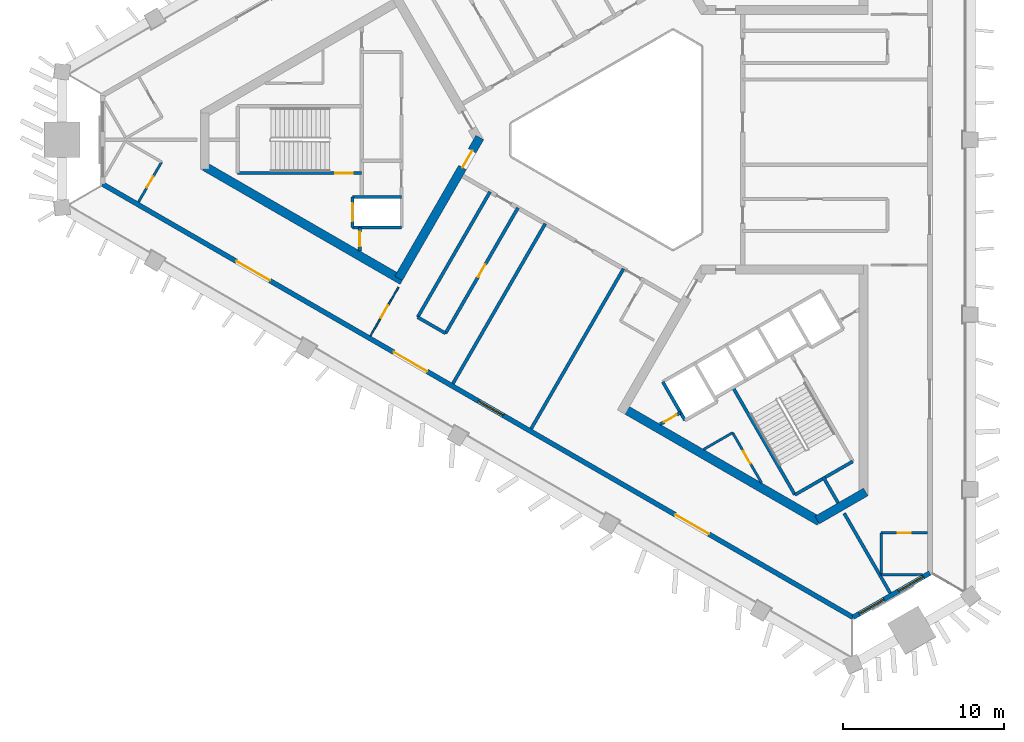
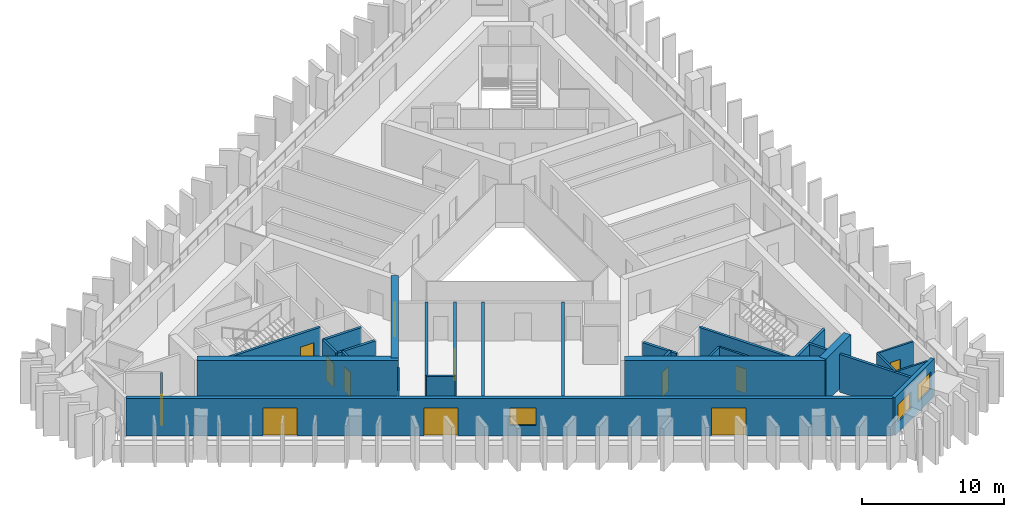
# One storey, part 2 of 10: 29 walls, 13 doors, 3 windows, 16 openings.
"""IFC4 building model written with IfcOpenShell, lengths in metres."""

from ifc_helpers import new_model, si_unit, direction, frame, frame_2d, origin, place, context, subcontext, project, spatial, rectangle, extrude, material, layer, layer_set, type_object, element, fill, save


model = new_model("IFC4")

# Units and contexts
model_context = context("Model", 3, precision=1e-05, world=origin(), true_north=direction((0.0, 1.0)))
body_context = subcontext(model_context, "Body", "Model", "MODEL_VIEW")
ifc_project = project(units=[si_unit("LENGTHUNIT", "METRE"), si_unit("AREAUNIT", "SQUARE_METRE"), si_unit("VOLUMEUNIT", "CUBIC_METRE"), si_unit("PLANEANGLEUNIT", "RADIAN"), si_unit("MASSUNIT", "GRAM", prefix="KILO")], contexts=[model_context])

# Site, building, storey
site_placement = place(None, origin())
site = spatial("IfcSite", under=ifc_project, at=site_placement, CompositionType="ELEMENT")
building_placement = place(site_placement, origin())
building = spatial("IfcBuilding", under=site, at=building_placement, Name="Jabali Bay Hotel Tower and Convention Centre", CompositionType="ELEMENT")
storey_placement = place(building_placement, frame((0.0, 0.0, 167.39990234375)))
storey = spatial("IfcBuildingStorey", under=building, at=storey_placement, Name="L40", CompositionType="ELEMENT", Elevation=167.39990234375)

# Wall, opening, door
ifc_material_1 = material(Name="Concrete C40", Category="concrete")
ifc_layer_1 = layer(ifc_material_1, 0.199951171875)
ifc_layer_set_1 = layer_set([ifc_layer_1], Name="Concrete C40")
wall_type_1 = type_object("IfcWallType", Name="Core partition wall 200", PredefinedType="PARTITIONING", material=ifc_layer_set_1)
wall_1_placement = place(storey_placement, frame((58.300048828125, 74.550048828125, 0.0), z_axis=(0.0, 0.0, 1.0), x_axis=(0.0, -1.0, 0.0)))
wall_1 = element("IfcWall", 1, at=wall_1_placement, inside=storey, type_object=wall_type_1, Name="Core wall 0.10 L40", PredefinedType="PARTITIONING", context=body_context, shape_type="SweptSolid", body=[
    extrude(rectangle(XDim=1.455078125, YDim=0.199951171875, at=frame_2d((0.7275390625, 0.0))), origin(), (0.0, 0.0, 1.0), 3.25),
])
opening_1_placement = place(wall_1_placement, frame((0.277587890625, 0.0, 0.0)))
opening_1 = element("IfcOpeningElement", 2, at=opening_1_placement, cuts=wall_1, Name="Opening D869", PredefinedType="OPENING", context=body_context, shape_type="SweptSolid", body=[
    extrude(rectangle(XDim=0.89990234375, YDim=2.10009765625, at=frame_2d((0.449951171875, 1.050048828125))), frame((0.0, 0.1103515625, 0.0), z_axis=(0.0, -1.0, 0.0), x_axis=(1.0, 0.0, 0.0)), (0.0, 0.0, 1.0), 0.220947265625),
])
ifc_material_2 = material(Name="Fire-rated steel door", Category="steel")
door_type_1 = type_object("IfcDoorType", Name="Vestibule fire door 900 x 2100", OperationType="NOTDEFINED", PredefinedType="NOTDEFINED", material=ifc_material_2)
door_1_placement = place(opening_1_placement, origin())
door_1 = element("IfcDoor", 3, at=door_1_placement, inside=storey, type_object=door_type_1, Name="Vestibule fire door D869", OperationType="SINGLE_SWING_LEFT", OverallHeight=2.10009765625, OverallWidth=0.89990234375, PredefinedType="NOTDEFINED", context=body_context, shape_type="SweptSolid", body=[
    extrude(rectangle(XDim=0.89990234375, YDim=2.10009765625, at=frame_2d((0.449951171875, 1.050048828125))), frame((0.0, 0.02490234375, 0.0), z_axis=(0.0, -1.0, 0.0), x_axis=(1.0, 0.0, 0.0)), (0.0, 0.0, 1.0), 0.050048828125),
])
fill(opening_1, door_1)

# Wall
wall_2_placement = place(storey_placement, frame((87.090087890625, 59.0595703125, 0.0), z_axis=(0.0, 0.0, 1.0), x_axis=(0.499951854219, -0.86605319898, 0.0)))
element("IfcWall", 4, at=wall_2_placement, inside=storey, type_object=wall_type_1, Name="Core wall 2.5 L40", PredefinedType="PARTITIONING", context=body_context, shape_type="SweptSolid", body=[
    extrude(rectangle(XDim=1.873291015625, YDim=0.199951171875, at=frame_2d((0.9365234375, 0.0))), origin(), (0.0, 0.0, 1.0), 3.25),
])

# Wall, opening, door
wall_3_placement = place(storey_placement, frame((76.969970703125, 62.315673828125, 0.0), z_axis=(0.0, 0.0, 1.0), x_axis=(0.865982457891, 0.500074377092, 0.0)))
wall_3 = element("IfcWall", 5, at=wall_3_placement, inside=storey, type_object=wall_type_1, Name="Core wall 2.11 L40", PredefinedType="PARTITIONING", context=body_context, shape_type="SweptSolid", body=[
    extrude(rectangle(XDim=1.461181640625, YDim=0.199951171875, at=frame_2d((0.73046875, 0.0))), origin(), (0.0, 0.0, 1.0), 3.25),
])
opening_2_placement = place(wall_3_placement, frame((0.280517578125, 0.0, 0.0)))
opening_2 = element("IfcOpeningElement", 6, at=opening_2_placement, cuts=wall_3, Name="Opening D882", PredefinedType="OPENING", context=body_context, shape_type="SweptSolid", body=[
    extrude(rectangle(XDim=0.89990234375, YDim=2.10009765625, at=frame_2d((0.449951171875, 1.050048828125))), frame((0.0, 0.1103515625, 0.0), z_axis=(0.0, -1.0, 0.0), x_axis=(1.0, 0.0, 0.0)), (0.0, 0.0, 1.0), 0.220947265625),
])
door_2_placement = place(opening_2_placement, origin())
door_2 = element("IfcDoor", 7, at=door_2_placement, inside=storey, type_object=door_type_1, Name="Vestibule fire door D882", OperationType="SINGLE_SWING_LEFT", OverallHeight=2.10009765625, OverallWidth=0.89990234375, PredefinedType="NOTDEFINED", context=body_context, shape_type="SweptSolid", body=[
    extrude(rectangle(XDim=0.89990234375, YDim=2.10009765625, at=frame_2d((0.449951171875, 1.050048828125))), frame((0.0, 0.02490234375, 0.0), z_axis=(0.0, -1.0, 0.0), x_axis=(1.0, 0.0, 0.0)), (0.0, 0.0, 1.0), 0.050048828125),
])
fill(opening_2, door_2)

ifc_material_3 = material(Name="Fire-rated board partition")
ifc_layer_2 = layer(ifc_material_3, 0.14990234375)
ifc_layer_set_2 = layer_set([ifc_layer_2], Name="Fire-rated board partition")
wall_type_2 = type_object("IfcWallType", Name="Core room partition 150", PredefinedType="PARTITIONING", material=ifc_layer_set_2)
wall_4_placement = place(storey_placement, frame((81.468994140625, 61.79541015625, 0.0), z_axis=(0.0, 0.0, 1.0), x_axis=(0.499992664208, -0.866029639064, 0.0)))
wall_4 = element("IfcWall", 8, at=wall_4_placement, inside=storey, type_object=wall_type_2, Name="Core wall 2.1 L40", PredefinedType="PARTITIONING", context=body_context, shape_type="SweptSolid", body=[
    extrude(rectangle(XDim=3.59765625, YDim=0.14990234375, at=frame_2d((1.798828125, 0.0))), origin(), (0.0, 0.0, 1.0), 3.25),
])
opening_3_placement = place(wall_4_placement, frame((1.321533203125, 0.0, 0.0)))
opening_3 = element("IfcOpeningElement", 9, at=opening_3_placement, cuts=wall_4, Name="Opening D884", PredefinedType="OPENING", context=body_context, shape_type="SweptSolid", body=[
    extrude(rectangle(XDim=0.89990234375, YDim=2.10009765625, at=frame_2d((0.449951171875, 1.050048828125))), frame((0.0, 0.08544921875, 0.0), z_axis=(0.0, -1.0, 0.0), x_axis=(1.0, 0.0, 0.0)), (0.0, 0.0, 1.0), 0.1708984375),
])
door_type_2 = type_object("IfcDoorType", Name="Core room door 900 x 2100", OperationType="NOTDEFINED", PredefinedType="NOTDEFINED", material=ifc_material_2)
door_3_placement = place(opening_3_placement, origin())
door_3 = element("IfcDoor", 10, at=door_3_placement, inside=storey, type_object=door_type_2, Name="Core room door D884", OperationType="SINGLE_SWING_LEFT", OverallHeight=2.10009765625, OverallWidth=0.89990234375, PredefinedType="NOTDEFINED", context=body_context, shape_type="SweptSolid", body=[
    extrude(rectangle(XDim=0.89990234375, YDim=2.10009765625, at=frame_2d((0.449951171875, 1.050048828125))), frame((0.0, 0.02490234375, 0.0), z_axis=(0.0, -1.0, 0.0), x_axis=(1.0, 0.0, 0.0)), (0.0, 0.0, 1.0), 0.050048828125),
])
fill(opening_3, door_3)

# Wall
wall_5_placement = place(storey_placement, frame((79.669921875, 60.7568359375, 0.0), z_axis=(0.0, 0.0, 1.0), x_axis=(0.866050549317, 0.49995644413, 0.0)))
element("IfcWall", 11, at=wall_5_placement, inside=storey, type_object=wall_type_2, Name="Core wall 2.16 L40", PredefinedType="PARTITIONING", context=body_context, shape_type="SweptSolid", body=[
    extrude(rectangle(XDim=2.077392578125, YDim=0.14990234375, at=frame_2d((1.03857421875, 0.0))), origin(), (0.0, 0.0, 1.0), 3.25),
])

# Wall, opening, door
ifc_layer_3 = layer(ifc_material_1, 0.199951171875)
ifc_layer_set_3 = layer_set([ifc_layer_3], Name="Concrete C40")
wall_type_3 = type_object("IfcWallType", Name="Core stair wall 200", PredefinedType="SOLIDWALL", material=ifc_layer_set_3)
wall_6_placement = place(storey_placement, frame((58.419921875, 77.925048828125, 0.0), z_axis=(0.0, 0.0, 1.0), x_axis=(-1.0, 0.0, 0.0)))
wall_6 = element("IfcWall", 12, at=wall_6_placement, inside=storey, type_object=wall_type_3, Name="Core wall 0.5 L40", PredefinedType="SOLIDWALL", context=body_context, shape_type="SweptSolid", body=[
    extrude(rectangle(XDim=7.699951171875, YDim=0.199951171875, at=frame_2d((3.85009765625, 0.0))), origin(), (0.0, 0.0, 1.0), 3.25),
])
opening_4_placement = place(wall_6_placement, frame((0.550048828125, 0.0, 0.0)))
opening_4 = element("IfcOpeningElement", 13, at=opening_4_placement, cuts=wall_6, Name="Opening D871", PredefinedType="OPENING", context=body_context, shape_type="SweptSolid", body=[
    extrude(rectangle(XDim=1.10009765625, YDim=2.10009765625, at=frame_2d((0.550048828125, 1.050048828125))), frame((0.0, 0.1103515625, 0.0), z_axis=(0.0, -1.0, 0.0), x_axis=(1.0, 0.0, 0.0)), (0.0, 0.0, 1.0), 0.220947265625),
])
door_type_3 = type_object("IfcDoorType", Name="Stair fire door 1100 x 2100", OperationType="NOTDEFINED", PredefinedType="NOTDEFINED", material=ifc_material_2)
door_4_placement = place(opening_4_placement, origin())
door_4 = element("IfcDoor", 14, at=door_4_placement, inside=storey, type_object=door_type_3, Name="Stair fire door D871", OperationType="SINGLE_SWING_RIGHT", OverallHeight=2.10009765625, OverallWidth=1.10009765625, PredefinedType="NOTDEFINED", context=body_context, shape_type="SweptSolid", body=[
    extrude(rectangle(XDim=1.10009765625, YDim=2.10009765625, at=frame_2d((0.550048828125, 1.050048828125))), frame((0.0, 0.02490234375, 0.0), z_axis=(0.0, -1.0, 0.0), x_axis=(1.0, 0.0, 0.0)), (0.0, 0.0, 1.0), 0.050048828125),
])
fill(opening_4, door_4)

# Walls
for number, where, z_axis, x_axis, name in (
    (15, (60.89990234375, 76.449951171875, 0.0), (0.0, 0.0, 1.0), (-1.0, 0.0, 0.0), "Core wall 0.6 L40"),
    (16, (60.89990234375, 74.550048828125, 0.0), (0.0, 0.0, 1.0), (-1.0, 0.0, 0.0), "Core wall 0.7 L40"),
):
    element("IfcWall", number, at=place(storey_placement, frame(where, z_axis=z_axis, x_axis=x_axis)), inside=storey, type_object=wall_type_3, Name=name, PredefinedType="SOLIDWALL", context=body_context, shape_type="SweptSolid", body=[
        extrude(rectangle(XDim=3.0498046875, YDim=0.199951171875, at=frame_2d((1.52490234375, 0.0))), origin(), (0.0, 0.0, 1.0), 3.25),
    ])

# Wall, opening, door
wall_7_placement = place(storey_placement, frame((57.85009765625, 76.449951171875, 0.0), z_axis=(0.0, 0.0, 1.0), x_axis=(0.0, -1.0, 0.0)))
wall_7 = element("IfcWall", 17, at=wall_7_placement, inside=storey, type_object=wall_type_3, Name="Core wall 0.11 L40", PredefinedType="SOLIDWALL", context=body_context, shape_type="SweptSolid", body=[
    extrude(rectangle(XDim=1.89990234375, YDim=0.199951171875, at=frame_2d((0.949951171875, 0.0))), origin(), (0.0, 0.0, 1.0), 3.25),
])
opening_5_placement = place(wall_7_placement, frame((0.39990234375, 0.0, 0.0)))
opening_5 = element("IfcOpeningElement", 18, at=opening_5_placement, cuts=wall_7, Name="Opening LD5-L40", PredefinedType="OPENING", context=body_context, shape_type="SweptSolid", body=[
    extrude(rectangle(XDim=1.10009765625, YDim=2.10009765625, at=frame_2d((0.550048828125, 1.050048828125))), frame((0.0, 0.1103515625, 0.0), z_axis=(0.0, -1.0, 0.0), x_axis=(1.0, 0.0, 0.0)), (0.0, 0.0, 1.0), 0.220947265625),
])
ifc_material_4 = material(Name="Stainless steel landing door", Category="steel")
door_type_4 = type_object("IfcDoorType", Name="Landing door 1100 x 2100", OperationType="NOTDEFINED", PredefinedType="NOTDEFINED", material=ifc_material_4)
door_5_placement = place(opening_5_placement, origin())
door_5 = element("IfcDoor", 19, at=door_5_placement, inside=storey, type_object=door_type_4, Name="Landing doors LD5-L40", OperationType="SLIDING_TO_RIGHT", OverallHeight=2.10009765625, OverallWidth=1.10009765625, PredefinedType="NOTDEFINED", context=body_context, shape_type="SweptSolid", body=[
    extrude(rectangle(XDim=1.10009765625, YDim=2.10009765625, at=frame_2d((0.550048828125, 1.050048828125))), frame((0.0, 0.02490234375, 0.0), z_axis=(0.0, -1.0, 0.0), x_axis=(1.0, 0.0, 0.0)), (0.0, 0.0, 1.0), 0.050048828125),
])
fill(opening_5, door_5)

# Walls
wall_8_placement = place(storey_placement, frame((77.13525390625, 64.95166015625, 0.0), z_axis=(0.0, 0.0, 1.0), x_axis=(0.499996545922, -0.866027397988, 0.0)))
element("IfcWall", 20, at=wall_8_placement, inside=storey, type_object=wall_type_3, Name="Core wall 2.0 L40", PredefinedType="SOLIDWALL", context=body_context, shape_type="SweptSolid", body=[
    extrude(rectangle(XDim=2.75, YDim=0.199951171875, at=frame_2d((1.375, 0.0))), origin(), (0.0, 0.0, 1.0), 3.25),
])
wall_9_placement = place(storey_placement, frame((81.492919921875, 64.603759765625, 0.0), z_axis=(0.0, 0.0, 1.0), x_axis=(0.500006057782, -0.866021906294, 0.0)))
element("IfcWall", 21, at=wall_9_placement, inside=storey, type_object=wall_type_3, Name="Core wall 2.3 L40", PredefinedType="SOLIDWALL", context=body_context, shape_type="SweptSolid", body=[
    extrude(rectangle(XDim=7.7001953125, YDim=0.199951171875, at=frame_2d((3.85009765625, 0.0))), origin(), (0.0, 0.0, 1.0), 3.25),
])
wall_10_placement = place(storey_placement, frame((85.343017578125, 57.935302734375, 0.0), z_axis=(0.0, 0.0, 1.0), x_axis=(0.866004344652, 0.500036473714, 0.0)))
element("IfcWall", 22, at=wall_10_placement, inside=storey, type_object=wall_type_3, Name="Core wall 2.17 L40", PredefinedType="SOLIDWALL", context=body_context, shape_type="SweptSolid", body=[
    extrude(rectangle(XDim=4.150146484375, YDim=0.199951171875, at=frame_2d((2.0751953125, 0.0))), origin(), (0.0, 0.0, 1.0), 3.25),
])
ifc_material_5 = material(Name="Concrete C60", Category="concrete")
ifc_layer_4 = layer(ifc_material_5, 0.550048828125)
ifc_layer_set_4 = layer_set([ifc_layer_4], Name="Concrete C60")
wall_type_4 = type_object("IfcWallType", Name="Core wall 550", PredefinedType="SHEAR", material=ifc_layer_set_4)
wall_11_placement = place(storey_placement, frame((48.671875, 78.336181640625, 0.0), z_axis=(0.0, 0.0, 1.0), x_axis=(0.866023530946, -0.500003243837, 0.0)))
element("IfcWall", 23, at=wall_11_placement, inside=storey, type_object=wall_type_4, Name="Core wall 1.4 L40", PredefinedType="SHEAR", context=body_context, shape_type="SweptSolid", body=[
    extrude(rectangle(XDim=14.1748046875, YDim=0.550048828125, at=frame_2d((7.08740234375, 0.0))), origin(), (0.0, 0.0, 1.0), 3.7001953125),
])

# Wall, opening, door
wall_12_placement = place(storey_placement, frame((60.709228515625, 71.38623046875, 0.0), z_axis=(0.0, 0.0, 1.0), x_axis=(0.500015938302, 0.866016201606, 0.0)))
wall_12 = element("IfcWall", 24, at=wall_12_placement, inside=storey, type_object=wall_type_4, Name="Core wall 1.5 L40", PredefinedType="SHEAR", context=body_context, shape_type="SweptSolid", body=[
    extrude(rectangle(XDim=10.105224609375, YDim=0.550048828125, at=frame_2d((5.052734375, 0.0))), origin(), (0.0, 0.0, 1.0), 3.7001953125),
])
opening_6_placement = place(wall_12_placement, frame((7.955078125, 0.0, 0.0)))
opening_6 = element("IfcOpeningElement", 25, at=opening_6_placement, cuts=wall_12, Name="Opening D866", PredefinedType="OPENING", context=body_context, shape_type="SweptSolid", body=[
    extrude(rectangle(XDim=1.199951171875, YDim=2.10009765625, at=frame_2d((0.60009765625, 1.050048828125))), frame((0.0, 0.28564453125, 0.0), z_axis=(0.0, -1.0, 0.0), x_axis=(1.0, 0.0, 0.0)), (0.0, 0.0, 1.0), 0.571044921875),
])
door_type_5 = type_object("IfcDoorType", Name="Corridor end fire door 1200 x 2100", OperationType="NOTDEFINED", PredefinedType="NOTDEFINED", material=ifc_material_2)
door_6_placement = place(opening_6_placement, origin())
door_6 = element("IfcDoor", 26, at=door_6_placement, inside=storey, type_object=door_type_5, Name="Corridor end fire door D866", OperationType="SINGLE_SWING_LEFT", OverallHeight=2.10009765625, OverallWidth=1.199951171875, PredefinedType="NOTDEFINED", context=body_context, shape_type="SweptSolid", body=[
    extrude(rectangle(XDim=1.199951171875, YDim=2.10009765625, at=frame_2d((0.60009765625, 1.050048828125))), frame((0.0, 0.02490234375, 0.0), z_axis=(0.0, -1.0, 0.0), x_axis=(1.0, 0.0, 0.0)), (0.0, 0.0, 1.0), 0.050048828125),
])
fill(opening_6, door_6)

# Walls
wall_13_placement = place(storey_placement, frame((74.685546875, 63.317138671875, 0.0), z_axis=(0.0, 0.0, 1.0), x_axis=(0.866024505738, -0.500001555459, 0.0)))
element("IfcWall", 27, at=wall_13_placement, inside=storey, type_object=wall_type_4, Name="Core wall 3.2 L40", PredefinedType="SHEAR", context=body_context, shape_type="SweptSolid", body=[
    extrude(rectangle(XDim=14.05859375, YDim=0.550048828125, at=frame_2d((7.029296875, 0.0))), origin(), (0.0, 0.0, 1.0), 3.7001953125),
])
wall_14_placement = place(storey_placement, frame((86.72314453125, 56.3671875, 0.0), z_axis=(0.0, 0.0, 1.0), x_axis=(0.865997833373, 0.500047750313, 0.0)))
element("IfcWall", 28, at=wall_14_placement, inside=storey, type_object=wall_type_4, Name="Core wall 3.3 L40", PredefinedType="SHEAR", context=body_context, shape_type="SweptSolid", body=[
    extrude(rectangle(XDim=3.486572265625, YDim=0.550048828125, at=frame_2d((1.7431640625, 0.0))), origin(), (0.0, 0.0, 1.0), 3.7001953125),
])

# Wall, openings, windows
ifc_layer_5 = layer(ifc_material_1, 0.300048828125)
ifc_layer_set_5 = layer_set([ifc_layer_5], Name="Concrete C40")
wall_type_5 = type_object("IfcWallType", Name="External wall 300", PredefinedType="SOLIDWALL", material=ifc_layer_set_5)
wall_15_placement = place(storey_placement, frame((93.72607421875, 53.074951171875, 0.0), z_axis=(0.0, 0.0, 1.0), x_axis=(-0.866039480772, -0.499975617149, 0.0)))
wall_15 = element("IfcWall", 29, at=wall_15_placement, inside=storey, type_object=wall_type_5, Name="External wall south-east chamfer L40", PredefinedType="SOLIDWALL", context=body_context, shape_type="SweptSolid", body=[
    extrude(rectangle(XDim=5.509521484375, YDim=0.300048828125, at=frame_2d((2.7548828125, 0.0))), origin(), (0.0, 0.0, 1.0), 3.25),
])
opening_7_placement = place(wall_15_placement, frame((0.4541015625, 0.0, 0.89990234375)))
opening_7 = element("IfcOpeningElement", 30, at=opening_7_placement, cuts=wall_15, Name="Opening W1", PredefinedType="OPENING", context=body_context, shape_type="SweptSolid", body=[
    extrude(rectangle(XDim=1.800048828125, YDim=1.5, at=frame_2d((0.89990234375, 0.75))), frame((0.0, 0.16064453125, 0.0), z_axis=(0.0, -1.0, 0.0), x_axis=(1.0, 0.0, 0.0)), (0.0, 0.0, 1.0), 0.321044921875),
])
opening_8_placement = place(wall_15_placement, frame((3.27490234375, 0.0, 0.89990234375)))
opening_8 = element("IfcOpeningElement", 31, at=opening_8_placement, cuts=wall_15, Name="Opening W1", PredefinedType="OPENING", context=body_context, shape_type="SweptSolid", body=[
    extrude(rectangle(XDim=1.800048828125, YDim=1.5, at=frame_2d((0.89990234375, 0.75))), frame((0.0, 0.16064453125, 0.0), z_axis=(0.0, -1.0, 0.0), x_axis=(1.0, 0.0, 0.0)), (0.0, 0.0, 1.0), 0.321044921875),
])
ifc_material_6 = material(Name="Glass", Category="glass")
window_type = type_object("IfcWindowType", Name="Window 1800 x 1500", PartitioningType="SINGLE_PANEL", PredefinedType="WINDOW", material=ifc_material_6)
window_1_placement = place(opening_7_placement, origin())
window_1 = element("IfcWindow", 32, at=window_1_placement, inside=storey, type_object=window_type, Name="Window 4001", OverallHeight=1.5, OverallWidth=1.800048828125, PartitioningType="SINGLE_PANEL", PredefinedType="WINDOW", context=body_context, shape_type="SweptSolid", body=[
    extrude(rectangle(XDim=1.800048828125, YDim=1.5, at=frame_2d((0.89990234375, 0.75))), frame((0.0, 0.030029296875, 0.0), z_axis=(0.0, -1.0, 0.0), x_axis=(1.0, 0.0, 0.0)), (0.0, 0.0, 1.0), 0.06005859375),
])
fill(opening_7, window_1)
window_2_placement = place(opening_8_placement, origin())
window_2 = element("IfcWindow", 33, at=window_2_placement, inside=storey, type_object=window_type, Name="Window 4012", OverallHeight=1.5, OverallWidth=1.800048828125, PartitioningType="SINGLE_PANEL", PredefinedType="WINDOW", context=body_context, shape_type="SweptSolid", body=[
    extrude(rectangle(XDim=1.800048828125, YDim=1.5, at=frame_2d((0.89990234375, 0.75))), frame((0.0, 0.030029296875, 0.0), z_axis=(0.0, -1.0, 0.0), x_axis=(1.0, 0.0, 0.0)), (0.0, 0.0, 1.0), 0.06005859375),
])
fill(opening_8, window_2)

# Wall, openings, doors, window
wall_16_placement = place(storey_placement, frame((88.95458984375, 50.3203125, 0.0), z_axis=(0.0, 0.0, 1.0), x_axis=(-0.866024017239, 0.50000240156, 0.0)))
wall_16 = element("IfcWall", 34, at=wall_16_placement, inside=storey, type_object=wall_type_5, Name="External wall south-west face L40", PredefinedType="SOLIDWALL", context=body_context, shape_type="SweptSolid", body=[
    extrude(rectangle(XDim=53.849853515625, YDim=0.300048828125, at=frame_2d((26.9248046875, 0.0))), origin(), (0.0, 0.0, 1.0), 3.25),
])
opening_9_placement = place(wall_16_placement, frame((30.557373046875, 0.0, 0.0)))
opening_9 = element("IfcOpeningElement", 35, at=opening_9_placement, cuts=wall_16, Name="Opening SD1", PredefinedType="OPENING", context=body_context, shape_type="SweptSolid", body=[
    extrude(rectangle(XDim=2.39990234375, YDim=2.39990234375, at=frame_2d((1.199951171875, 1.199951171875))), frame((0.0, 0.16064453125, 0.0), z_axis=(0.0, -1.0, 0.0), x_axis=(1.0, 0.0, 0.0)), (0.0, 0.0, 1.0), 0.321044921875),
])
opening_10_placement = place(wall_16_placement, frame((41.84716796875, 0.0, 0.0)))
opening_10 = element("IfcOpeningElement", 36, at=opening_10_placement, cuts=wall_16, Name="Opening SD1", PredefinedType="OPENING", context=body_context, shape_type="SweptSolid", body=[
    extrude(rectangle(XDim=2.39990234375, YDim=2.39990234375, at=frame_2d((1.199951171875, 1.199951171875))), frame((0.0, 0.16064453125, 0.0), z_axis=(0.0, -1.0, 0.0), x_axis=(1.0, 0.0, 0.0)), (0.0, 0.0, 1.0), 0.321044921875),
])
opening_11_placement = place(wall_16_placement, frame((10.3486328125, 0.0, 0.0)))
opening_11 = element("IfcOpeningElement", 37, at=opening_11_placement, cuts=wall_16, Name="Opening SD1", PredefinedType="OPENING", context=body_context, shape_type="SweptSolid", body=[
    extrude(rectangle(XDim=2.39990234375, YDim=2.39990234375, at=frame_2d((1.199951171875, 1.199951171875))), frame((0.0, 0.16064453125, 0.0), z_axis=(0.0, -1.0, 0.0), x_axis=(1.0, 0.0, 0.0)), (0.0, 0.0, 1.0), 0.321044921875),
])
opening_12_placement = place(wall_16_placement, frame((25.089599609375, 0.0, 0.89990234375)))
opening_12 = element("IfcOpeningElement", 38, at=opening_12_placement, cuts=wall_16, Name="Opening W1", PredefinedType="OPENING", context=body_context, shape_type="SweptSolid", body=[
    extrude(rectangle(XDim=1.800048828125, YDim=1.5, at=frame_2d((0.89990234375, 0.75))), frame((0.0, 0.16064453125, 0.0), z_axis=(0.0, -1.0, 0.0), x_axis=(1.0, 0.0, 0.0)), (0.0, 0.0, 1.0), 0.321044921875),
])
door_type_6 = type_object("IfcDoorType", Name="Loggia sliding door 2400 x 2400", OperationType="NOTDEFINED", PredefinedType="NOTDEFINED", material=ifc_material_6)
door_7_placement = place(opening_9_placement, origin())
door_7 = element("IfcDoor", 39, at=door_7_placement, inside=storey, type_object=door_type_6, Name="Loggia sliding door 4010", OperationType="SLIDING_TO_LEFT", OverallHeight=2.39990234375, OverallWidth=2.39990234375, PredefinedType="NOTDEFINED", context=body_context, shape_type="SweptSolid", body=[
    extrude(rectangle(XDim=2.39990234375, YDim=2.39990234375, at=frame_2d((1.199951171875, 1.199951171875))), frame((0.0, 0.02490234375, 0.0), z_axis=(0.0, -1.0, 0.0), x_axis=(1.0, 0.0, 0.0)), (0.0, 0.0, 1.0), 0.050048828125),
])
fill(opening_9, door_7)
door_8_placement = place(opening_10_placement, origin())
door_8 = element("IfcDoor", 40, at=door_8_placement, inside=storey, type_object=door_type_6, Name="Loggia sliding door 4010", OperationType="SLIDING_TO_RIGHT", OverallHeight=2.39990234375, OverallWidth=2.39990234375, PredefinedType="NOTDEFINED", context=body_context, shape_type="SweptSolid", body=[
    extrude(rectangle(XDim=2.39990234375, YDim=2.39990234375, at=frame_2d((1.199951171875, 1.199951171875))), frame((0.0, 0.02490234375, 0.0), z_axis=(0.0, -1.0, 0.0), x_axis=(1.0, 0.0, 0.0)), (0.0, 0.0, 1.0), 0.050048828125),
])
fill(opening_10, door_8)
door_9_placement = place(opening_11_placement, origin())
door_9 = element("IfcDoor", 41, at=door_9_placement, inside=storey, type_object=door_type_6, Name="Loggia sliding door 4012", OperationType="SLIDING_TO_LEFT", OverallHeight=2.39990234375, OverallWidth=2.39990234375, PredefinedType="NOTDEFINED", context=body_context, shape_type="SweptSolid", body=[
    extrude(rectangle(XDim=2.39990234375, YDim=2.39990234375, at=frame_2d((1.199951171875, 1.199951171875))), frame((0.0, 0.02490234375, 0.0), z_axis=(0.0, -1.0, 0.0), x_axis=(1.0, 0.0, 0.0)), (0.0, 0.0, 1.0), 0.050048828125),
])
fill(opening_11, door_9)
window_3_placement = place(opening_12_placement, origin())
window_3 = element("IfcWindow", 42, at=window_3_placement, inside=storey, type_object=window_type, Name="Window", OverallHeight=1.5, OverallWidth=1.800048828125, PartitioningType="SINGLE_PANEL", PredefinedType="WINDOW", context=body_context, shape_type="SweptSolid", body=[
    extrude(rectangle(XDim=1.800048828125, YDim=1.5, at=frame_2d((0.89990234375, 0.75))), frame((0.0, 0.030029296875, 0.0), z_axis=(0.0, -1.0, 0.0), x_axis=(1.0, 0.0, 0.0)), (0.0, 0.0, 1.0), 0.06005859375),
])
fill(opening_12, window_3)

# Wall, opening, door
ifc_material_7 = material(Name="Plasterboard on steel stud", Category="steel")
ifc_layer_6 = layer(ifc_material_7, 0.10009765625)
ifc_layer_set_6 = layer_set([ifc_layer_6], Name="Plasterboard on steel stud")
wall_type_6 = type_object("IfcWallType", Name="Partition 100 unit", PredefinedType="PARTITIONING", material=ifc_layer_set_6)
wall_17_placement = place(storey_placement, frame((60.71044921875, 70.83837890625, 0.0), z_axis=(0.0, 0.0, 1.0), x_axis=(-0.499982229883, -0.866035663123, 0.0)))
wall_17 = element("IfcWall", 43, at=wall_17_placement, inside=storey, type_object=wall_type_6, Name="Partition P02 L40 032", PredefinedType="PARTITIONING", context=body_context, shape_type="SweptSolid", body=[
    extrude(rectangle(XDim=3.498291015625, YDim=0.10009765625, at=frame_2d((1.7490234375, 0.0))), origin(), (0.0, 0.0, 1.0), 3.25),
])
opening_13_placement = place(wall_17_placement, frame((1.299072265625, 0.0, 0.0)))
opening_13 = element("IfcOpeningElement", 44, at=opening_13_placement, cuts=wall_17, Name="Opening 4019", PredefinedType="OPENING", context=body_context, shape_type="SweptSolid", body=[
    extrude(rectangle(XDim=0.89990234375, YDim=2.10009765625, at=frame_2d((0.449951171875, 1.050048828125))), frame((0.0, 0.060546875, 0.0), z_axis=(0.0, -1.0, 0.0), x_axis=(1.0, 0.0, 0.0)), (0.0, 0.0, 1.0), 0.12109375),
])
ifc_material_8 = material(Name="Timber", Category="wood")
door_type_7 = type_object("IfcDoorType", Name="Internal door 900 x 2100", OperationType="NOTDEFINED", PredefinedType="NOTDEFINED", material=ifc_material_8)
door_10_placement = place(opening_13_placement, origin())
door_10 = element("IfcDoor", 45, at=door_10_placement, inside=storey, type_object=door_type_7, Name="Door 4019", OperationType="SINGLE_SWING_LEFT", OverallHeight=2.10009765625, OverallWidth=0.89990234375, PredefinedType="NOTDEFINED", context=body_context, shape_type="SweptSolid", body=[
    extrude(rectangle(XDim=0.89990234375, YDim=2.10009765625, at=frame_2d((0.449951171875, 1.050048828125))), frame((0.0, 0.02490234375, 0.0), z_axis=(0.0, -1.0, 0.0), x_axis=(1.0, 0.0, 0.0)), (0.0, 0.0, 1.0), 0.050048828125),
])
fill(opening_13, door_10)

# Walls
ifc_layer_7 = layer(ifc_material_7, 0.14990234375)
ifc_layer_set_7 = layer_set([ifc_layer_7], Name="Plasterboard on steel stud")
wall_type_7 = type_object("IfcWallType", Name="Partition 150 wet", PredefinedType="PARTITIONING", material=ifc_layer_set_7)
wall_18_placement = place(storey_placement, frame((93.2705078125, 52.984130859375, 0.0), z_axis=(0.0, 0.0, 1.0), x_axis=(-0.999979727383, -0.006367481632, 0.0)))
element("IfcWall", 46, at=wall_18_placement, inside=storey, type_object=wall_type_7, Name="Partition P03 L40 006", PredefinedType="PARTITIONING", context=body_context, shape_type="SweptSolid", body=[
    extrude(rectangle(XDim=2.56884765625, YDim=0.14990234375, at=frame_2d((1.284423828125, 0.0))), origin(), (0.0, 0.0, 1.0), 3.25),
])
wall_19_placement = place(storey_placement, frame((90.70166015625, 52.9677734375, 0.0), z_axis=(0.0, 0.0, 1.0), x_axis=(0.0, 1.0, 0.0)))
element("IfcWall", 47, at=wall_19_placement, inside=storey, type_object=wall_type_7, Name="Partition P03 L40 007", PredefinedType="PARTITIONING", context=body_context, shape_type="SweptSolid", body=[
    extrude(rectangle(XDim=2.60009765625, YDim=0.14990234375, at=frame_2d((1.300048828125, 0.0))), origin(), (0.0, 0.0, 1.0), 3.25),
])

# Wall, opening, door
wall_20_placement = place(storey_placement, frame((90.70166015625, 55.56787109375, 0.0), z_axis=(0.0, 0.0, 1.0), x_axis=(1.0, 0.0, 0.0)))
wall_20 = element("IfcWall", 48, at=wall_20_placement, inside=storey, type_object=wall_type_7, Name="Partition P03 L40 008", PredefinedType="PARTITIONING", context=body_context, shape_type="SweptSolid", body=[
    extrude(rectangle(XDim=2.87548828125, YDim=0.14990234375, at=frame_2d((1.437744140625, 0.0))), origin(), (0.0, 0.0, 1.0), 3.25),
])
opening_14_placement = place(wall_20_placement, frame((1.0380859375, 0.0, 0.0)))
opening_14 = element("IfcOpeningElement", 49, at=opening_14_placement, cuts=wall_20, Name="Opening 4003", PredefinedType="OPENING", context=body_context, shape_type="SweptSolid", body=[
    extrude(rectangle(XDim=0.800048828125, YDim=2.10009765625, at=frame_2d((0.39990234375, 1.050048828125))), frame((0.0, 0.08544921875, 0.0), z_axis=(0.0, -1.0, 0.0), x_axis=(1.0, 0.0, 0.0)), (0.0, 0.0, 1.0), 0.1708984375),
])
door_type_8 = type_object("IfcDoorType", Name="En-suite door 800 x 2100", OperationType="NOTDEFINED", PredefinedType="NOTDEFINED", material=ifc_material_8)
door_11_placement = place(opening_14_placement, origin())
door_11 = element("IfcDoor", 50, at=door_11_placement, inside=storey, type_object=door_type_8, Name="Door 4003", OperationType="SINGLE_SWING_LEFT", OverallHeight=2.10009765625, OverallWidth=0.800048828125, PredefinedType="NOTDEFINED", context=body_context, shape_type="SweptSolid", body=[
    extrude(rectangle(XDim=0.800048828125, YDim=2.10009765625, at=frame_2d((0.39990234375, 1.050048828125))), frame((0.0, 0.02490234375, 0.0), z_axis=(0.0, -1.0, 0.0), x_axis=(1.0, 0.0, 0.0)), (0.0, 0.0, 1.0), 0.050048828125),
])
fill(opening_14, door_11)

wall_21_placement = place(storey_placement, frame((45.990234375, 78.6181640625, 0.0), z_axis=(0.0, 0.0, 1.0), x_axis=(-0.500001735503, -0.866024401789, 0.0)))
wall_21 = element("IfcWall", 51, at=wall_21_placement, inside=storey, type_object=wall_type_7, Name="Partition P03 L40 039", PredefinedType="PARTITIONING", context=body_context, shape_type="SweptSolid", body=[
    extrude(rectangle(XDim=2.87548828125, YDim=0.14990234375, at=frame_2d((1.437744140625, 0.0))), origin(), (0.0, 0.0, 1.0), 3.25),
])
opening_15_placement = place(wall_21_placement, frame((1.0380859375, 0.0, 0.0)))
opening_15 = element("IfcOpeningElement", 52, at=opening_15_placement, cuts=wall_21, Name="Opening 4020", PredefinedType="OPENING", context=body_context, shape_type="SweptSolid", body=[
    extrude(rectangle(XDim=0.800048828125, YDim=2.10009765625, at=frame_2d((0.39990234375, 1.050048828125))), frame((0.0, 0.08544921875, 0.0), z_axis=(0.0, -1.0, 0.0), x_axis=(1.0, 0.0, 0.0)), (0.0, 0.0, 1.0), 0.1708984375),
])
door_12_placement = place(opening_15_placement, origin())
door_12 = element("IfcDoor", 53, at=door_12_placement, inside=storey, type_object=door_type_8, Name="Door 4020", OperationType="SINGLE_SWING_LEFT", OverallHeight=2.10009765625, OverallWidth=0.800048828125, PredefinedType="NOTDEFINED", context=body_context, shape_type="SweptSolid", body=[
    extrude(rectangle(XDim=0.800048828125, YDim=2.10009765625, at=frame_2d((0.39990234375, 1.050048828125))), frame((0.0, 0.02490234375, 0.0), z_axis=(0.0, -1.0, 0.0), x_axis=(1.0, 0.0, 0.0)), (0.0, 0.0, 1.0), 0.050048828125),
])
fill(opening_15, door_12)

# Wall
ifc_layer_8 = layer(ifc_material_7, 0.199951171875)
ifc_layer_set_8 = layer_set([ifc_layer_8], Name="Plasterboard on steel stud")
wall_type_8 = type_object("IfcWallType", Name="Partition 200 party", PredefinedType="PARTITIONING", material=ifc_layer_set_8)
wall_22_placement = place(storey_placement, frame((88.40185546875, 56.789306640625, 0.0), z_axis=(0.0, 0.0, 1.0), x_axis=(0.499979412418, -0.866037289704, 0.0)))
element("IfcWall", 54, at=wall_22_placement, inside=storey, type_object=wall_type_8, Name="Partition P01 L40 009", PredefinedType="PARTITIONING", context=body_context, shape_type="SweptSolid", body=[
    extrude(rectangle(XDim=5.729736328125, YDim=0.199951171875, at=frame_2d((2.86474609375, 0.0))), origin(), (0.0, 0.0, 1.0), 3.25),
])

# Wall, opening, door
wall_23_placement = place(storey_placement, frame((68.131103515625, 75.767333984375, 0.0), z_axis=(0.0, 0.0, 1.0), x_axis=(-0.5000018851, -0.866024315419, 0.0)))
wall_23 = element("IfcWall", 55, at=wall_23_placement, inside=storey, type_object=wall_type_8, Name="Partition P01 L40 033", PredefinedType="PARTITIONING", context=body_context, shape_type="SweptSolid", body=[
    extrude(rectangle(XDim=9.0, YDim=0.199951171875, at=frame_2d((4.5, 0.0))), origin(), (0.0, 0.0, 1.0), 3.25),
])
opening_16_placement = place(wall_23_placement, frame((4.050048828125, 0.0, 0.0)))
opening_16 = element("IfcOpeningElement", 56, at=opening_16_placement, cuts=wall_23, Name="Opening 4021", PredefinedType="OPENING", context=body_context, shape_type="SweptSolid", body=[
    extrude(rectangle(XDim=0.89990234375, YDim=2.10009765625, at=frame_2d((0.449951171875, 1.050048828125))), frame((0.0, 0.1103515625, 0.0), z_axis=(0.0, -1.0, 0.0), x_axis=(1.0, 0.0, 0.0)), (0.0, 0.0, 1.0), 0.220947265625),
])
door_13_placement = place(opening_16_placement, origin())
door_13 = element("IfcDoor", 57, at=door_13_placement, inside=storey, type_object=door_type_7, Name="Door 4021", OperationType="SINGLE_SWING_LEFT", OverallHeight=2.10009765625, OverallWidth=0.89990234375, PredefinedType="NOTDEFINED", context=body_context, shape_type="SweptSolid", body=[
    extrude(rectangle(XDim=0.89990234375, YDim=2.10009765625, at=frame_2d((0.449951171875, 1.050048828125))), frame((0.0, 0.02490234375, 0.0), z_axis=(0.0, -1.0, 0.0), x_axis=(1.0, 0.0, 0.0)), (0.0, 0.0, 1.0), 0.050048828125),
])
fill(opening_16, door_13)

# Walls
wall_24_placement = place(storey_placement, frame((63.631103515625, 67.97314453125, 0.0), z_axis=(0.0, 0.0, 1.0), x_axis=(-0.866041268327, 0.499972520799, 0.0)))
element("IfcWall", 58, at=wall_24_placement, inside=storey, type_object=wall_type_8, Name="Partition P01 L40 034", PredefinedType="PARTITIONING", context=body_context, shape_type="SweptSolid", body=[
    extrude(rectangle(XDim=2.0, YDim=0.199951171875, at=frame_2d((1.0, 0.0))), origin(), (0.0, 0.0, 1.0), 3.25),
])
wall_25_placement = place(storey_placement, frame((61.89892578125, 68.97314453125, 0.0), z_axis=(0.0, 0.0, 1.0), x_axis=(0.5000018851, 0.866024315419, 0.0)))
element("IfcWall", 59, at=wall_25_placement, inside=storey, type_object=wall_type_8, Name="Partition P01 L40 035", PredefinedType="PARTITIONING", context=body_context, shape_type="SweptSolid", body=[
    extrude(rectangle(XDim=9.0, YDim=0.199951171875, at=frame_2d((4.5, 0.0))), origin(), (0.0, 0.0, 1.0), 3.25),
])
for number, where, z_axis, x_axis, name in (
    (60, (64.091552734375, 64.84716796875, 0.0), (0.0, 0.0, 1.0), (0.499998657322, 0.866026178979, 0.0), "Partition P01 L40 036"),
    (61, (68.951416015625, 62.041259765625, 0.0), (0.0, 0.0, 1.0), (0.499998657322, 0.866026178979, 0.0), "Partition P01 L40 040"),
):
    element("IfcWall", number, at=place(storey_placement, frame(where, z_axis=z_axis, x_axis=x_axis)), inside=storey, type_object=wall_type_8, Name=name, PredefinedType="PARTITIONING", context=body_context, shape_type="SweptSolid", body=[
        extrude(rectangle(XDim=11.47705078125, YDim=0.199951171875, at=frame_2d((5.738525390625, 0.0))), origin(), (0.0, 0.0, 1.0), 3.25),
    ])

save(model, "model.ifc")
